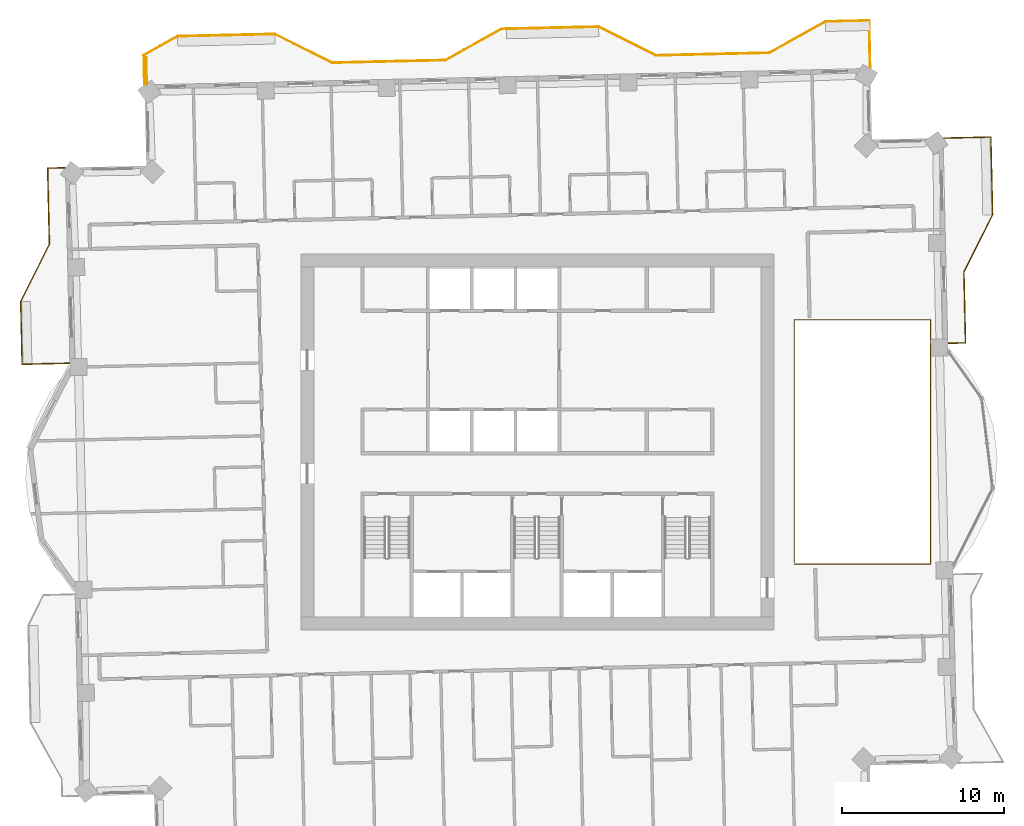
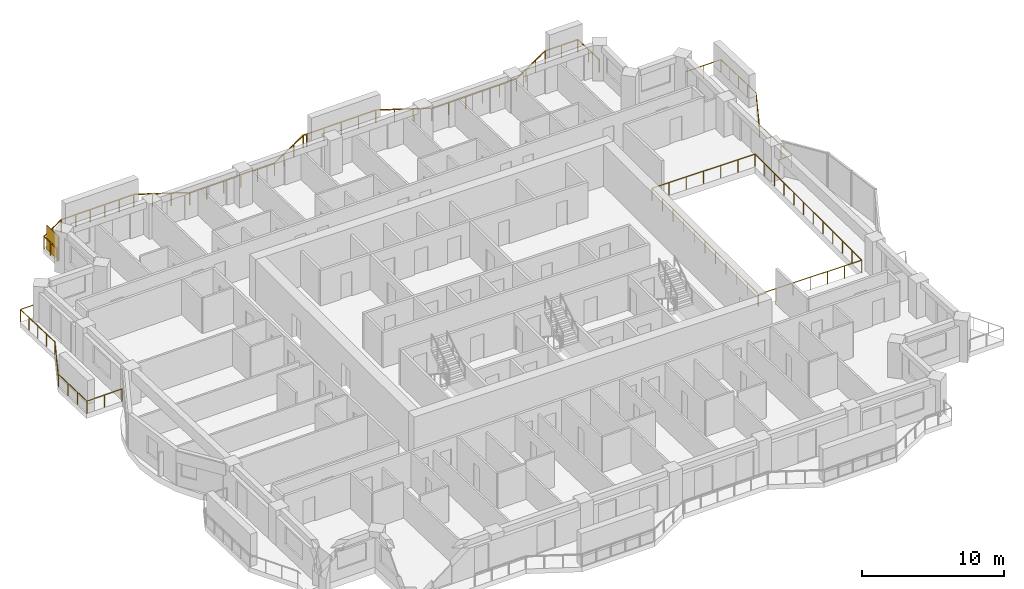
# One storey, part 17 of 17: 4 railings, 1 shading device.
"""IFC4 building model written with IfcOpenShell, lengths in metres."""

from ifc_helpers import new_model, si_unit, direction, frame, origin, origin_2d, place, context, subcontext, project, spatial, rectangle, extrude, material, type_object, element, save


model = new_model("IFC4")

# Units and contexts
model_context = context("Model", 3, precision=1e-05, world=origin(), true_north=direction((0.0, 1.0)))
body_context = subcontext(model_context, "Body", "Model", "MODEL_VIEW")
ifc_project = project(units=[si_unit("LENGTHUNIT", "METRE"), si_unit("AREAUNIT", "SQUARE_METRE"), si_unit("VOLUMEUNIT", "CUBIC_METRE"), si_unit("PLANEANGLEUNIT", "RADIAN"), si_unit("MASSUNIT", "GRAM", prefix="KILO")], contexts=[model_context])

# Site, building, storey
site_placement = place(None, origin())
site = spatial("IfcSite", under=ifc_project, at=site_placement, CompositionType="ELEMENT")
building_placement = place(site_placement, origin())
building = spatial("IfcBuilding", under=site, at=building_placement, Name="Mangrove Gate Tower", CompositionType="ELEMENT")
storey_placement = place(building_placement, frame((0.0, 0.0, 249.10009765625)))
storey = spatial("IfcBuildingStorey", under=building, at=storey_placement, Name="L63", CompositionType="ELEMENT", Elevation=249.10009765625)

# Railings
ifc_material_1 = material(Name="Stainless steel grade 316 with laminated glass infill", Category="steel")
railing_type = type_object("IfcRailingType", Name="Balcony guard 1100", PredefinedType="GUARDRAIL", material=ifc_material_1)
railing_1_placement = place(storey_placement, frame((25.375, 6.089111328125, 0.0)))
element("IfcRailing", 1, at=railing_1_placement, inside=storey, type_object=railing_type, Name="GUARD L63 E2", PredefinedType="GUARDRAIL", context=body_context, shape_type="SweptSolid", body=[
    extrude(rectangle(XDim=0.048095703125, YDim=0.048095703125, at=origin_2d()), frame((0.0, 0.0, 1.076171875), z_axis=(0.999745389313, 0.022564497502, 0.0), x_axis=(-0.022564497502, 0.999745389313, 0.0)), (0.0, 0.0, 1.0), 1.060302734375),
    extrude(rectangle(XDim=0.048095703125, YDim=0.048095703125, at=origin_2d()), frame((1.06005859375, 0.02392578125, 1.076171875), z_axis=(-0.022655491882, 0.999743331404, 0.0), x_axis=(-0.999743331404, -0.022655491882, 0.0)), (0.0, 0.0, 1.0), 4.375244140625),
    extrude(rectangle(XDim=0.048095703125, YDim=0.048095703125, at=origin_2d()), frame((0.9609375, 4.39794921875, 1.076171875), z_axis=(0.447114919141, 0.894476522376, 0.0), x_axis=(-0.894476522376, 0.447114919141, 0.0)), (0.0, 0.0, 1.0), 3.958740234375),
    extrude(rectangle(XDim=0.048095703125, YDim=0.048095703125, at=origin_2d()), frame((2.73095703125, 7.93896484375, 1.076171875), z_axis=(-0.022684433919, 0.999742675121, 0.0), x_axis=(-0.999742675121, -0.022684433919, 0.0)), (0.0, 0.0, 1.0), 4.800048828125),
    extrude(rectangle(XDim=0.048095703125, YDim=0.048095703125, at=origin_2d()), frame((2.6220703125, 12.73779296875, 1.076171875), z_axis=(-0.999743392495, -0.022652795902, 0.0), x_axis=(0.022652795902, -0.999743392495, 0.0)), (0.0, 0.0, 1.0), 2.909912109375),
    extrude(rectangle(XDim=0.0419921875, YDim=0.0419921875, at=origin_2d()), origin(), (0.0, 0.0, 1.0), 1.052001953125),
    extrude(rectangle(XDim=0.0419921875, YDim=0.0419921875, at=origin_2d()), frame((1.06005859375, 0.02392578125, 0.0)), (0.0, 0.0, 1.0), 1.052001953125),
    extrude(rectangle(XDim=0.0419921875, YDim=0.0419921875, at=origin_2d()), frame((1.027099609375, 1.48193359375, 0.0)), (0.0, 0.0, 1.0), 1.052001953125),
    extrude(rectangle(XDim=0.0419921875, YDim=0.0419921875, at=origin_2d()), frame((0.993896484375, 2.93994140625, 0.0)), (0.0, 0.0, 1.0), 1.052001953125),
    extrude(rectangle(XDim=0.0419921875, YDim=0.0419921875, at=origin_2d()), frame((0.9609375, 4.39794921875, 0.0)), (0.0, 0.0, 1.0), 1.052001953125),
    extrude(rectangle(XDim=0.0419921875, YDim=0.0419921875, at=origin_2d()), frame((1.551025390625, 5.578369140625, 0.0)), (0.0, 0.0, 1.0), 1.052001953125),
    extrude(rectangle(XDim=0.0419921875, YDim=0.0419921875, at=origin_2d()), frame((2.140869140625, 6.758544921875, 0.0)), (0.0, 0.0, 1.0), 1.052001953125),
    extrude(rectangle(XDim=0.0419921875, YDim=0.0419921875, at=origin_2d()), frame((2.73095703125, 7.93896484375, 0.0)), (0.0, 0.0, 1.0), 1.052001953125),
    extrude(rectangle(XDim=0.0419921875, YDim=0.0419921875, at=origin_2d()), frame((2.70361328125, 9.138671875, 0.0)), (0.0, 0.0, 1.0), 1.052001953125),
    extrude(rectangle(XDim=0.0419921875, YDim=0.0419921875, at=origin_2d()), frame((2.676513671875, 10.33837890625, 0.0)), (0.0, 0.0, 1.0), 1.052001953125),
    extrude(rectangle(XDim=0.0419921875, YDim=0.0419921875, at=origin_2d()), frame((2.6494140625, 11.5380859375, 0.0)), (0.0, 0.0, 1.0), 1.052001953125),
    extrude(rectangle(XDim=0.0419921875, YDim=0.0419921875, at=origin_2d()), frame((2.6220703125, 12.73779296875, 0.0)), (0.0, 0.0, 1.0), 1.052001953125),
    extrude(rectangle(XDim=0.0419921875, YDim=0.0419921875, at=origin_2d()), frame((1.16748046875, 12.704833984375, 0.0)), (0.0, 0.0, 1.0), 1.052001953125),
    extrude(rectangle(XDim=0.0419921875, YDim=0.0419921875, at=origin_2d()), frame((-0.287109375, 12.671875, 0.0)), (0.0, 0.0, 1.0), 1.052001953125),
])
railing_2_placement = place(storey_placement, frame((20.548095703125, 23.09912109375, 0.0)))
element("IfcRailing", 2, at=railing_2_placement, inside=storey, type_object=railing_type, Name="GUARD L63 N1", PredefinedType="GUARDRAIL", context=body_context, shape_type="SweptSolid", body=[
    extrude(rectangle(XDim=0.048095703125, YDim=0.048095703125, at=origin_2d()), frame((0.0, 0.0, 1.076171875), z_axis=(-0.022738559105, 0.99974144554, 0.0), x_axis=(-0.99974144554, -0.022738559105, 0.0)), (0.0, 0.0, 1.0), 2.90966796875),
    extrude(rectangle(XDim=0.048095703125, YDim=0.048095703125, at=origin_2d()), frame((-0.066162109375, 2.908935546875, 1.076171875), z_axis=(-0.999745134961, -0.022575764045, 0.0), x_axis=(0.022575764045, -0.999745134961, 0.0)), (0.0, 0.0, 1.0), 2.70361328125),
    extrude(rectangle(XDim=0.048095703125, YDim=0.048095703125, at=origin_2d()), frame((-2.76904296875, 2.847900390625, 1.076171875), z_axis=(-0.87325689943, -0.48726008209, 0.0), x_axis=(0.48726008209, -0.87325689943, 0.0)), (0.0, 0.0, 1.0), 3.958740234375),
    extrude(rectangle(XDim=0.048095703125, YDim=0.048095703125, at=origin_2d()), frame((-6.22607421875, 0.9189453125, 1.076171875), z_axis=(-0.999741403216, -0.022740419861, 0.0), x_axis=(0.022740419861, -0.999741403216, 0.0)), (0.0, 0.0, 1.0), 6.999755859375),
    extrude(rectangle(XDim=0.048095703125, YDim=0.048095703125, at=origin_2d()), frame((-13.22412109375, 0.759765625, 1.076171875), z_axis=(-0.894476522376, 0.447114919141, 0.0), x_axis=(-0.447114919141, -0.894476522376, 0.0)), (0.0, 0.0, 1.0), 3.958740234375),
    extrude(rectangle(XDim=0.048095703125, YDim=0.048095703125, at=origin_2d()), frame((-16.76513671875, 2.52978515625, 1.076171875), z_axis=(-0.999744284001, -0.022613416525, 0.0), x_axis=(0.022613416525, -0.999744284001, 0.0)), (0.0, 0.0, 1.0), 5.700439453125),
    extrude(rectangle(XDim=0.048095703125, YDim=0.048095703125, at=origin_2d()), frame((-22.464111328125, 2.40087890625, 1.076171875), z_axis=(-0.999721720687, -0.023589853458, 0.0), x_axis=(0.023589853458, -0.999721720687, 0.0)), (0.0, 0.0, 1.0), 0.300048828125),
    extrude(rectangle(XDim=0.048095703125, YDim=0.048095703125, at=origin_2d()), frame((-22.76416015625, 2.393798828125, 1.076171875), z_axis=(-0.87325689943, -0.48726008209, 0.0), x_axis=(0.48726008209, -0.87325689943, 0.0)), (0.0, 0.0, 1.0), 3.958740234375),
    extrude(rectangle(XDim=0.048095703125, YDim=0.048095703125, at=origin_2d()), frame((-26.22119140625, 0.46484375, 1.076171875), z_axis=(-0.999742177561, -0.022706351659, 0.0), x_axis=(0.022706351659, -0.999742177561, 0.0)), (0.0, 0.0, 1.0), 6.99951171875),
    extrude(rectangle(XDim=0.048095703125, YDim=0.048095703125, at=origin_2d()), frame((-33.218994140625, 0.305908203125, 1.076171875), z_axis=(-0.894476522376, 0.447114919141, 0.0), x_axis=(-0.447114919141, -0.894476522376, 0.0)), (0.0, 0.0, 1.0), 3.958740234375),
    extrude(rectangle(XDim=0.048095703125, YDim=0.048095703125, at=origin_2d()), frame((-36.760009765625, 2.075927734375, 1.076171875), z_axis=(-0.999743178102, -0.022662255828, 0.0), x_axis=(0.022662255828, -0.999743178102, 0.0)), (0.0, 0.0, 1.0), 6.00048828125),
    extrude(rectangle(XDim=0.048095703125, YDim=0.048095703125, at=origin_2d()), frame((-42.759033203125, 1.93994140625, 1.076171875), z_axis=(-0.873323584188, -0.487140551895, 0.0), x_axis=(0.487140551895, -0.873323584188, 0.0)), (0.0, 0.0, 1.0), 2.379638671875),
    extrude(rectangle(XDim=0.048095703125, YDim=0.048095703125, at=origin_2d()), frame((-44.837158203125, 0.78076171875, 1.076171875), z_axis=(0.022807753673, -0.999739869352, 0.0), x_axis=(0.999739869352, 0.022807753673, 0.0)), (0.0, 0.0, 1.0), 1.79833984375),
    extrude(rectangle(XDim=0.0419921875, YDim=0.0419921875, at=origin_2d()), origin(), (0.0, 0.0, 1.0), 1.052001953125),
    extrude(rectangle(XDim=0.0419921875, YDim=0.0419921875, at=origin_2d()), frame((-0.033203125, 1.45458984375, 0.0)), (0.0, 0.0, 1.0), 1.052001953125),
    extrude(rectangle(XDim=0.0419921875, YDim=0.0419921875, at=origin_2d()), frame((-0.066162109375, 2.908935546875, 0.0)), (0.0, 0.0, 1.0), 1.052001953125),
    extrude(rectangle(XDim=0.0419921875, YDim=0.0419921875, at=origin_2d()), frame((-1.41748046875, 2.87841796875, 0.0)), (0.0, 0.0, 1.0), 1.052001953125),
    extrude(rectangle(XDim=0.0419921875, YDim=0.0419921875, at=origin_2d()), frame((-2.76904296875, 2.847900390625, 0.0)), (0.0, 0.0, 1.0), 1.052001953125),
    extrude(rectangle(XDim=0.0419921875, YDim=0.0419921875, at=origin_2d()), frame((-3.92138671875, 2.204833984375, 0.0)), (0.0, 0.0, 1.0), 1.052001953125),
    extrude(rectangle(XDim=0.0419921875, YDim=0.0419921875, at=origin_2d()), frame((-5.07373046875, 1.56201171875, 0.0)), (0.0, 0.0, 1.0), 1.052001953125),
    extrude(rectangle(XDim=0.0419921875, YDim=0.0419921875, at=origin_2d()), frame((-6.22607421875, 0.9189453125, 0.0)), (0.0, 0.0, 1.0), 1.052001953125),
    extrude(rectangle(XDim=0.0419921875, YDim=0.0419921875, at=origin_2d()), frame((-7.625732421875, 0.88720703125, 0.0)), (0.0, 0.0, 1.0), 1.052001953125),
    extrude(rectangle(XDim=0.0419921875, YDim=0.0419921875, at=origin_2d()), frame((-9.025390625, 0.855224609375, 0.0)), (0.0, 0.0, 1.0), 1.052001953125),
    extrude(rectangle(XDim=0.0419921875, YDim=0.0419921875, at=origin_2d()), frame((-10.4248046875, 0.823486328125, 0.0)), (0.0, 0.0, 1.0), 1.052001953125),
    extrude(rectangle(XDim=0.0419921875, YDim=0.0419921875, at=origin_2d()), frame((-11.824462890625, 0.79150390625, 0.0)), (0.0, 0.0, 1.0), 1.052001953125),
    extrude(rectangle(XDim=0.0419921875, YDim=0.0419921875, at=origin_2d()), frame((-13.22412109375, 0.759765625, 0.0)), (0.0, 0.0, 1.0), 1.052001953125),
    extrude(rectangle(XDim=0.0419921875, YDim=0.0419921875, at=origin_2d()), frame((-14.404541015625, 1.349853515625, 0.0)), (0.0, 0.0, 1.0), 1.052001953125),
    extrude(rectangle(XDim=0.0419921875, YDim=0.0419921875, at=origin_2d()), frame((-15.584716796875, 1.939697265625, 0.0)), (0.0, 0.0, 1.0), 1.052001953125),
    extrude(rectangle(XDim=0.0419921875, YDim=0.0419921875, at=origin_2d()), frame((-16.76513671875, 2.52978515625, 0.0)), (0.0, 0.0, 1.0), 1.052001953125),
    extrude(rectangle(XDim=0.0419921875, YDim=0.0419921875, at=origin_2d()), frame((-18.18994140625, 2.49755859375, 0.0)), (0.0, 0.0, 1.0), 1.052001953125),
    extrude(rectangle(XDim=0.0419921875, YDim=0.0419921875, at=origin_2d()), frame((-19.61474609375, 2.46533203125, 0.0)), (0.0, 0.0, 1.0), 1.052001953125),
    extrude(rectangle(XDim=0.0419921875, YDim=0.0419921875, at=origin_2d()), frame((-21.039306640625, 2.43310546875, 0.0)), (0.0, 0.0, 1.0), 1.052001953125),
    extrude(rectangle(XDim=0.0419921875, YDim=0.0419921875, at=origin_2d()), frame((-22.464111328125, 2.40087890625, 0.0)), (0.0, 0.0, 1.0), 1.052001953125),
    extrude(rectangle(XDim=0.0419921875, YDim=0.0419921875, at=origin_2d()), frame((-22.76416015625, 2.393798828125, 0.0)), (0.0, 0.0, 1.0), 1.052001953125),
    extrude(rectangle(XDim=0.0419921875, YDim=0.0419921875, at=origin_2d()), frame((-23.91650390625, 1.750732421875, 0.0)), (0.0, 0.0, 1.0), 1.052001953125),
    extrude(rectangle(XDim=0.0419921875, YDim=0.0419921875, at=origin_2d()), frame((-25.06884765625, 1.10791015625, 0.0)), (0.0, 0.0, 1.0), 1.052001953125),
    extrude(rectangle(XDim=0.0419921875, YDim=0.0419921875, at=origin_2d()), frame((-26.22119140625, 0.46484375, 0.0)), (0.0, 0.0, 1.0), 1.052001953125),
    extrude(rectangle(XDim=0.0419921875, YDim=0.0419921875, at=origin_2d()), frame((-27.620849609375, 0.43310546875, 0.0)), (0.0, 0.0, 1.0), 1.052001953125),
    extrude(rectangle(XDim=0.0419921875, YDim=0.0419921875, at=origin_2d()), frame((-29.020263671875, 0.4013671875, 0.0)), (0.0, 0.0, 1.0), 1.052001953125),
    extrude(rectangle(XDim=0.0419921875, YDim=0.0419921875, at=origin_2d()), frame((-30.419921875, 0.369384765625, 0.0)), (0.0, 0.0, 1.0), 1.052001953125),
    extrude(rectangle(XDim=0.0419921875, YDim=0.0419921875, at=origin_2d()), frame((-31.8193359375, 0.337646484375, 0.0)), (0.0, 0.0, 1.0), 1.052001953125),
    extrude(rectangle(XDim=0.0419921875, YDim=0.0419921875, at=origin_2d()), frame((-33.218994140625, 0.305908203125, 0.0)), (0.0, 0.0, 1.0), 1.052001953125),
    extrude(rectangle(XDim=0.0419921875, YDim=0.0419921875, at=origin_2d()), frame((-34.3994140625, 0.89599609375, 0.0)), (0.0, 0.0, 1.0), 1.052001953125),
    extrude(rectangle(XDim=0.0419921875, YDim=0.0419921875, at=origin_2d()), frame((-35.57958984375, 1.48583984375, 0.0)), (0.0, 0.0, 1.0), 1.052001953125),
    extrude(rectangle(XDim=0.0419921875, YDim=0.0419921875, at=origin_2d()), frame((-36.760009765625, 2.075927734375, 0.0)), (0.0, 0.0, 1.0), 1.052001953125),
    extrude(rectangle(XDim=0.0419921875, YDim=0.0419921875, at=origin_2d()), frame((-37.959716796875, 2.048828125, 0.0)), (0.0, 0.0, 1.0), 1.052001953125),
    extrude(rectangle(XDim=0.0419921875, YDim=0.0419921875, at=origin_2d()), frame((-39.15966796875, 2.021484375, 0.0)), (0.0, 0.0, 1.0), 1.052001953125),
    extrude(rectangle(XDim=0.0419921875, YDim=0.0419921875, at=origin_2d()), frame((-40.359375, 1.994384765625, 0.0)), (0.0, 0.0, 1.0), 1.052001953125),
    extrude(rectangle(XDim=0.0419921875, YDim=0.0419921875, at=origin_2d()), frame((-41.559326171875, 1.967041015625, 0.0)), (0.0, 0.0, 1.0), 1.052001953125),
    extrude(rectangle(XDim=0.0419921875, YDim=0.0419921875, at=origin_2d()), frame((-42.759033203125, 1.93994140625, 0.0)), (0.0, 0.0, 1.0), 1.052001953125),
    extrude(rectangle(XDim=0.0419921875, YDim=0.0419921875, at=origin_2d()), frame((-43.798095703125, 1.3603515625, 0.0)), (0.0, 0.0, 1.0), 1.052001953125),
    extrude(rectangle(XDim=0.0419921875, YDim=0.0419921875, at=origin_2d()), frame((-44.837158203125, 0.78076171875, 0.0)), (0.0, 0.0, 1.0), 1.052001953125),
    extrude(rectangle(XDim=0.0419921875, YDim=0.0419921875, at=origin_2d()), frame((-44.816650390625, -0.1181640625, 0.0)), (0.0, 0.0, 1.0), 1.052001953125),
    extrude(rectangle(XDim=0.0419921875, YDim=0.0419921875, at=origin_2d()), frame((-44.796142578125, -1.01708984375, 0.0)), (0.0, 0.0, 1.0), 1.052001953125),
])
railing_3_placement = place(storey_placement, frame((-29.173095703125, 16.928955078125, 0.0)))
element("IfcRailing", 3, at=railing_3_placement, inside=storey, type_object=railing_type, Name="GUARD L63 W1", PredefinedType="GUARDRAIL", context=body_context, shape_type="SweptSolid", body=[
    extrude(rectangle(XDim=0.048095703125, YDim=0.048095703125, at=origin_2d()), frame((0.0, 0.0, 1.076171875), z_axis=(-0.999744802133, -0.022590498181, 0.0), x_axis=(0.022590498181, -0.999744802133, 0.0)), (0.0, 0.0, 1.0), 1.05908203125),
    extrude(rectangle(XDim=0.048095703125, YDim=0.048095703125, at=origin_2d()), frame((-1.058837890625, -0.02392578125, 1.076171875), z_axis=(0.022543238277, -0.999745868913, 0.0), x_axis=(0.999745868913, 0.022543238277, 0.0)), (0.0, 0.0, 1.0), 4.7001953125),
    extrude(rectangle(XDim=0.048095703125, YDim=0.048095703125, at=origin_2d()), frame((-0.952880859375, -4.722900390625, 1.076171875), z_axis=(-0.447114919141, -0.894476522376, 0.0), x_axis=(0.894476522376, -0.447114919141, 0.0)), (0.0, 0.0, 1.0), 3.958740234375),
    extrude(rectangle(XDim=0.048095703125, YDim=0.048095703125, at=origin_2d()), frame((-2.722900390625, -8.263916015625, 1.076171875), z_axis=(0.02268704877, -0.999742615786, 0.0), x_axis=(0.999742615786, 0.02268704877, 0.0)), (0.0, 0.0, 1.0), 3.8740234375),
    extrude(rectangle(XDim=0.048095703125, YDim=0.048095703125, at=origin_2d()), frame((-2.635009765625, -12.136962890625, 1.076171875), z_axis=(0.999743392495, 0.022652795902, 0.0), x_axis=(-0.022652795902, 0.999743392495, 0.0)), (0.0, 0.0, 1.0), 2.909912109375),
    extrude(rectangle(XDim=0.0419921875, YDim=0.0419921875, at=origin_2d()), origin(), (0.0, 0.0, 1.0), 1.052001953125),
    extrude(rectangle(XDim=0.0419921875, YDim=0.0419921875, at=origin_2d()), frame((-1.058837890625, -0.02392578125, 0.0)), (0.0, 0.0, 1.0), 1.052001953125),
    extrude(rectangle(XDim=0.0419921875, YDim=0.0419921875, at=origin_2d()), frame((-1.0322265625, -1.19873046875, 0.0)), (0.0, 0.0, 1.0), 1.052001953125),
    extrude(rectangle(XDim=0.0419921875, YDim=0.0419921875, at=origin_2d()), frame((-1.005859375, -2.37353515625, 0.0)), (0.0, 0.0, 1.0), 1.052001953125),
    extrude(rectangle(XDim=0.0419921875, YDim=0.0419921875, at=origin_2d()), frame((-0.9794921875, -3.548095703125, 0.0)), (0.0, 0.0, 1.0), 1.052001953125),
    extrude(rectangle(XDim=0.0419921875, YDim=0.0419921875, at=origin_2d()), frame((-0.952880859375, -4.722900390625, 0.0)), (0.0, 0.0, 1.0), 1.052001953125),
    extrude(rectangle(XDim=0.0419921875, YDim=0.0419921875, at=origin_2d()), frame((-1.54296875, -5.9033203125, 0.0)), (0.0, 0.0, 1.0), 1.052001953125),
    extrude(rectangle(XDim=0.0419921875, YDim=0.0419921875, at=origin_2d()), frame((-2.1328125, -7.08349609375, 0.0)), (0.0, 0.0, 1.0), 1.052001953125),
    extrude(rectangle(XDim=0.0419921875, YDim=0.0419921875, at=origin_2d()), frame((-2.722900390625, -8.263916015625, 0.0)), (0.0, 0.0, 1.0), 1.052001953125),
    extrude(rectangle(XDim=0.0419921875, YDim=0.0419921875, at=origin_2d()), frame((-2.693603515625, -9.554931640625, 0.0)), (0.0, 0.0, 1.0), 1.052001953125),
    extrude(rectangle(XDim=0.0419921875, YDim=0.0419921875, at=origin_2d()), frame((-2.664306640625, -10.845947265625, 0.0)), (0.0, 0.0, 1.0), 1.052001953125),
    extrude(rectangle(XDim=0.0419921875, YDim=0.0419921875, at=origin_2d()), frame((-2.635009765625, -12.136962890625, 0.0)), (0.0, 0.0, 1.0), 1.052001953125),
    extrude(rectangle(XDim=0.0419921875, YDim=0.0419921875, at=origin_2d()), frame((-1.180419921875, -12.10400390625, 0.0)), (0.0, 0.0, 1.0), 1.052001953125),
    extrude(rectangle(XDim=0.0419921875, YDim=0.0419921875, at=origin_2d()), frame((0.274169921875, -12.071044921875, 0.0)), (0.0, 0.0, 1.0), 1.052001953125),
])
railing_4_placement = place(storey_placement, frame((15.860107421875, -7.5400390625, 0.0)))
element("IfcRailing", 4, at=railing_4_placement, inside=storey, type_object=railing_type, Name="GUARD L63 atrium", PredefinedType="GUARDRAIL", context=body_context, shape_type="SweptSolid", body=[
    extrude(rectangle(XDim=0.048095703125, YDim=0.048095703125, at=origin_2d()), frame((0.0, 0.0, 1.076171875), z_axis=(1.0, 0.0, 0.0), x_axis=(0.0, 1.0, 0.0)), (0.0, 0.0, 1.0), 8.406982421875),
    extrude(rectangle(XDim=0.048095703125, YDim=0.048095703125, at=origin_2d()), frame((8.406982421875, 0.0, 1.076171875), z_axis=(0.0, 1.0, 0.0), x_axis=(-1.0, 0.0, 0.0)), (0.0, 0.0, 1.0), 15.080078125),
    extrude(rectangle(XDim=0.048095703125, YDim=0.048095703125, at=origin_2d()), frame((8.406982421875, 15.080078125, 1.076171875), z_axis=(-1.0, 0.0, 0.0), x_axis=(0.0, -1.0, 0.0)), (0.0, 0.0, 1.0), 8.406982421875),
    extrude(rectangle(XDim=0.048095703125, YDim=0.048095703125, at=origin_2d()), frame((0.0, 15.080078125, 1.076171875), z_axis=(0.0, -1.0, 0.0), x_axis=(1.0, 0.0, 0.0)), (0.0, 0.0, 1.0), 14.9599609375),
    extrude(rectangle(XDim=0.0419921875, YDim=0.0419921875, at=origin_2d()), origin(), (0.0, 0.0, 1.0), 1.052001953125),
    extrude(rectangle(XDim=0.0419921875, YDim=0.0419921875, at=origin_2d()), frame((1.401123046875, 0.0, 0.0)), (0.0, 0.0, 1.0), 1.052001953125),
    extrude(rectangle(XDim=0.0419921875, YDim=0.0419921875, at=origin_2d()), frame((2.80224609375, 0.0, 0.0)), (0.0, 0.0, 1.0), 1.052001953125),
    extrude(rectangle(XDim=0.0419921875, YDim=0.0419921875, at=origin_2d()), frame((4.20361328125, 0.0, 0.0)), (0.0, 0.0, 1.0), 1.052001953125),
    extrude(rectangle(XDim=0.0419921875, YDim=0.0419921875, at=origin_2d()), frame((5.604736328125, 0.0, 0.0)), (0.0, 0.0, 1.0), 1.052001953125),
    extrude(rectangle(XDim=0.0419921875, YDim=0.0419921875, at=origin_2d()), frame((7.005859375, 0.0, 0.0)), (0.0, 0.0, 1.0), 1.052001953125),
    extrude(rectangle(XDim=0.0419921875, YDim=0.0419921875, at=origin_2d()), frame((8.406982421875, 0.0, 0.0)), (0.0, 0.0, 1.0), 1.052001953125),
    extrude(rectangle(XDim=0.0419921875, YDim=0.0419921875, at=origin_2d()), frame((8.406982421875, 1.370849609375, 0.0)), (0.0, 0.0, 1.0), 1.052001953125),
    extrude(rectangle(XDim=0.0419921875, YDim=0.0419921875, at=origin_2d()), frame((8.406982421875, 2.741943359375, 0.0)), (0.0, 0.0, 1.0), 1.052001953125),
    extrude(rectangle(XDim=0.0419921875, YDim=0.0419921875, at=origin_2d()), frame((8.406982421875, 4.11279296875, 0.0)), (0.0, 0.0, 1.0), 1.052001953125),
    extrude(rectangle(XDim=0.0419921875, YDim=0.0419921875, at=origin_2d()), frame((8.406982421875, 5.483642578125, 0.0)), (0.0, 0.0, 1.0), 1.052001953125),
    extrude(rectangle(XDim=0.0419921875, YDim=0.0419921875, at=origin_2d()), frame((8.406982421875, 6.8544921875, 0.0)), (0.0, 0.0, 1.0), 1.052001953125),
    extrude(rectangle(XDim=0.0419921875, YDim=0.0419921875, at=origin_2d()), frame((8.406982421875, 8.2255859375, 0.0)), (0.0, 0.0, 1.0), 1.052001953125),
    extrude(rectangle(XDim=0.0419921875, YDim=0.0419921875, at=origin_2d()), frame((8.406982421875, 9.596435546875, 0.0)), (0.0, 0.0, 1.0), 1.052001953125),
    extrude(rectangle(XDim=0.0419921875, YDim=0.0419921875, at=origin_2d()), frame((8.406982421875, 10.96728515625, 0.0)), (0.0, 0.0, 1.0), 1.052001953125),
    extrude(rectangle(XDim=0.0419921875, YDim=0.0419921875, at=origin_2d()), frame((8.406982421875, 12.338134765625, 0.0)), (0.0, 0.0, 1.0), 1.052001953125),
    extrude(rectangle(XDim=0.0419921875, YDim=0.0419921875, at=origin_2d()), frame((8.406982421875, 13.709228515625, 0.0)), (0.0, 0.0, 1.0), 1.052001953125),
    extrude(rectangle(XDim=0.0419921875, YDim=0.0419921875, at=origin_2d()), frame((8.406982421875, 15.080078125, 0.0)), (0.0, 0.0, 1.0), 1.052001953125),
    extrude(rectangle(XDim=0.0419921875, YDim=0.0419921875, at=origin_2d()), frame((7.005859375, 15.080078125, 0.0)), (0.0, 0.0, 1.0), 1.052001953125),
    extrude(rectangle(XDim=0.0419921875, YDim=0.0419921875, at=origin_2d()), frame((5.604736328125, 15.080078125, 0.0)), (0.0, 0.0, 1.0), 1.052001953125),
    extrude(rectangle(XDim=0.0419921875, YDim=0.0419921875, at=origin_2d()), frame((4.20361328125, 15.080078125, 0.0)), (0.0, 0.0, 1.0), 1.052001953125),
    extrude(rectangle(XDim=0.0419921875, YDim=0.0419921875, at=origin_2d()), frame((2.80224609375, 15.080078125, 0.0)), (0.0, 0.0, 1.0), 1.052001953125),
    extrude(rectangle(XDim=0.0419921875, YDim=0.0419921875, at=origin_2d()), frame((1.401123046875, 15.080078125, 0.0)), (0.0, 0.0, 1.0), 1.052001953125),
    extrude(rectangle(XDim=0.0419921875, YDim=0.0419921875, at=origin_2d()), frame((0.0, 15.080078125, 0.0)), (0.0, 0.0, 1.0), 1.052001953125),
    extrude(rectangle(XDim=0.0419921875, YDim=0.0419921875, at=origin_2d()), frame((0.0, 13.583984375, 0.0)), (0.0, 0.0, 1.0), 1.052001953125),
    extrude(rectangle(XDim=0.0419921875, YDim=0.0419921875, at=origin_2d()), frame((0.0, 12.088134765625, 0.0)), (0.0, 0.0, 1.0), 1.052001953125),
    extrude(rectangle(XDim=0.0419921875, YDim=0.0419921875, at=origin_2d()), frame((0.0, 10.592041015625, 0.0)), (0.0, 0.0, 1.0), 1.052001953125),
    extrude(rectangle(XDim=0.0419921875, YDim=0.0419921875, at=origin_2d()), frame((0.0, 9.09619140625, 0.0)), (0.0, 0.0, 1.0), 1.052001953125),
    extrude(rectangle(XDim=0.0419921875, YDim=0.0419921875, at=origin_2d()), frame((0.0, 7.60009765625, 0.0)), (0.0, 0.0, 1.0), 1.052001953125),
    extrude(rectangle(XDim=0.0419921875, YDim=0.0419921875, at=origin_2d()), frame((0.0, 6.10400390625, 0.0)), (0.0, 0.0, 1.0), 1.052001953125),
    extrude(rectangle(XDim=0.0419921875, YDim=0.0419921875, at=origin_2d()), frame((0.0, 4.608154296875, 0.0)), (0.0, 0.0, 1.0), 1.052001953125),
    extrude(rectangle(XDim=0.0419921875, YDim=0.0419921875, at=origin_2d()), frame((0.0, 3.112060546875, 0.0)), (0.0, 0.0, 1.0), 1.052001953125),
    extrude(rectangle(XDim=0.0419921875, YDim=0.0419921875, at=origin_2d()), frame((0.0, 1.6162109375, 0.0)), (0.0, 0.0, 1.0), 1.052001953125),
    extrude(rectangle(XDim=0.0419921875, YDim=0.0419921875, at=origin_2d()), frame((0.0, 0.1201171875, 0.0)), (0.0, 0.0, 1.0), 1.052001953125),
])

# Shading device
ifc_material_2 = material(Name="Timber slat screen in teak", Category="wood")
shading_device_type = type_object("IfcShadingDeviceType", Name="Balcony screen 2100", PredefinedType="USERDEFINED", material=ifc_material_2)
shading_device_placement = place(storey_placement, frame((-24.126953125, 22.904052734375, -0.000244140625), z_axis=(0.0, 0.0, 1.0), x_axis=(-0.022896718676, 0.999737835772, 0.0)))
element("IfcShadingDevice", 5, at=shading_device_placement, inside=storey, type_object=shading_device_type, Name="SCREEN L63 N1", ObjectType="SCREEN", PredefinedType="USERDEFINED", context=body_context, shape_type="SweptSolid", body=[
    extrude(rectangle(XDim=1.677978515625, YDim=0.050048828125, at=origin_2d()), origin(), (0.0, 0.0, 1.0), 2.10009765625),
])

save(model, "model.ifc")
